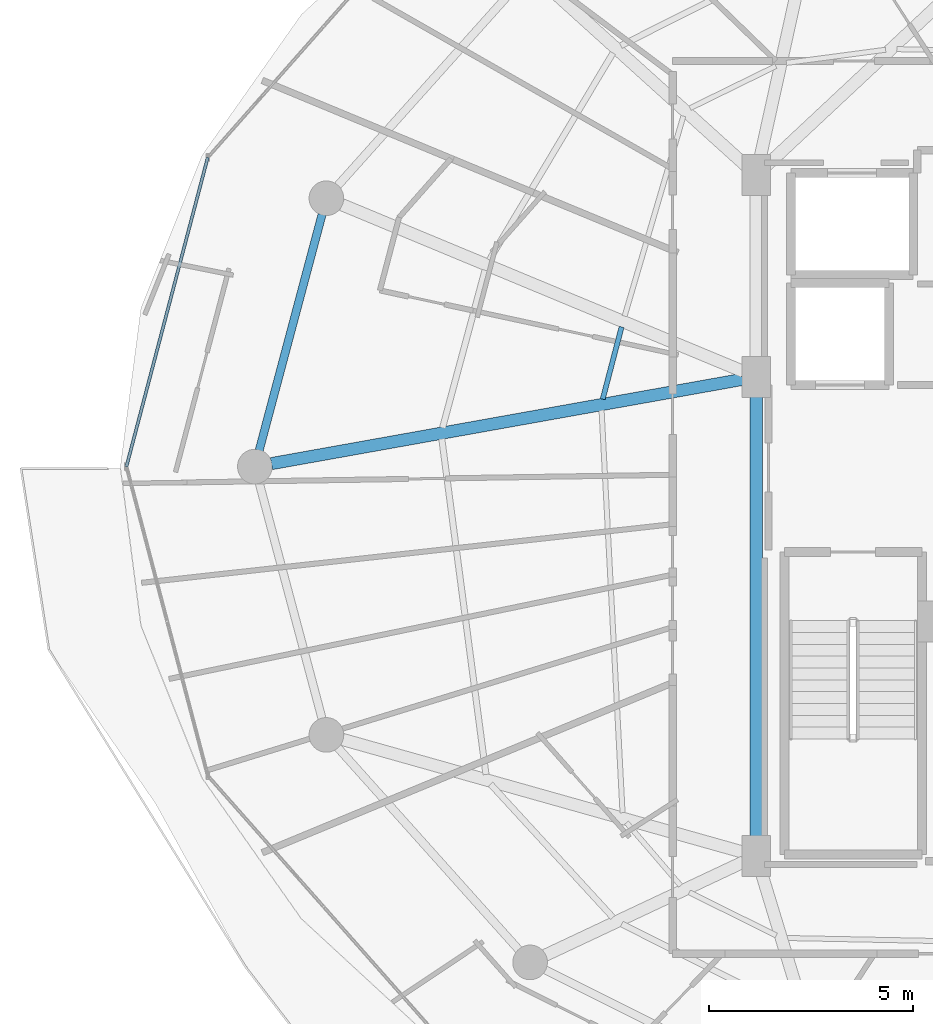
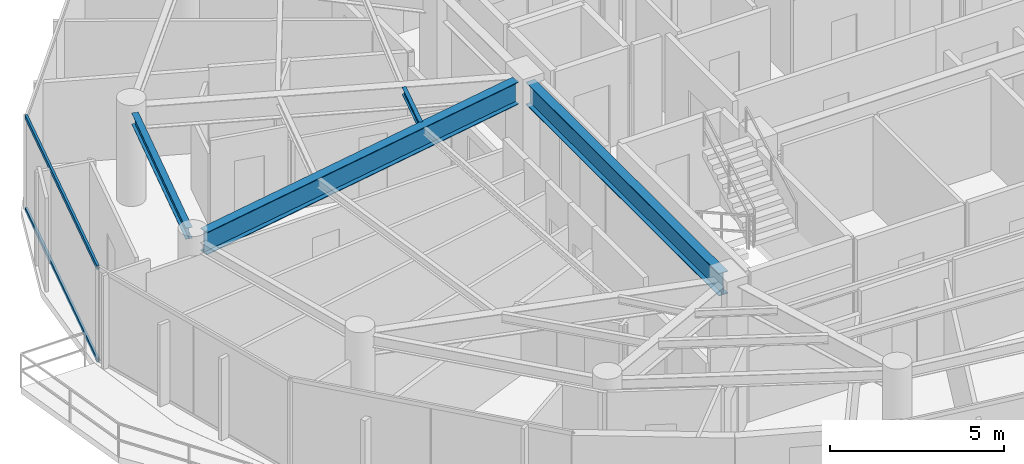
# One storey, part 8 of 31: 4 beams, 2 members, 1 element without a shape of its own.
"""IFC4 building model written with IfcOpenShell, lengths in metres."""

from ifc_helpers import new_model, si_unit, direction, frame, origin, origin_2d, place, context, subcontext, project, spatial, hollow_rectangle, i_section, extrude, material, material_profile, profile_set, type_object, element, aggregate, save


model = new_model("IFC4")

# Units and contexts
model_context = context("Model", 3, precision=1e-05, world=origin(), true_north=direction((0.0, 1.0)))
body_context = subcontext(model_context, "Body", "Model", "MODEL_VIEW")
ifc_project = project(units=[si_unit("LENGTHUNIT", "METRE"), si_unit("AREAUNIT", "SQUARE_METRE"), si_unit("VOLUMEUNIT", "CUBIC_METRE"), si_unit("PLANEANGLEUNIT", "RADIAN"), si_unit("MASSUNIT", "GRAM", prefix="KILO")], contexts=[model_context])

# Site, building, storey
site_placement = place(None, origin())
site = spatial("IfcSite", under=ifc_project, at=site_placement, CompositionType="ELEMENT")
building_placement = place(site_placement, origin())
building = spatial("IfcBuilding", under=site, at=building_placement, Name="Vorneva Point Tower", CompositionType="ELEMENT")
storey_placement = place(building_placement, frame((0.0, 0.0, 248.449951171875)))
storey = spatial("IfcBuildingStorey", under=building, at=storey_placement, Name="L67", CompositionType="ELEMENT", Elevation=248.449951171875)

# Beams
ifc_material_1 = material(Name="Steel S355", Category="steel")
ifc_material_profile_1 = material_profile(ifc_material_1, i_section(OverallWidth=0.300048828125, OverallDepth=0.7880859375, WebThickness=0.014404296875, FlangeThickness=0.02197265625, at=origin_2d()), Name="80Sh1")
ifc_profile_set_1 = profile_set([ifc_material_profile_1], Name="Steel S355")
beam_type_1 = type_object("IfcBeamType", Name="BM-GRD-80Sh1", PredefinedType="USERDEFINED", material=ifc_profile_set_1)
beam_1_placement = place(storey_placement, frame((15.3564453125, 26.07275390625, 2.89599609375), z_axis=(0.9843788355, 0.17606336422, 0.0), x_axis=(-0.17606336422, 0.9843788355, 0.0)))
element("IfcBeam", 1, at=beam_1_placement, inside=storey, type_object=beam_type_1, Name="L67 Radial Primary Girder 09", ObjectType="GIRDER", PredefinedType="USERDEFINED", context=body_context, shape_type="SweptSolid", body=[
    extrude(i_section(OverallWidth=0.300048828125, OverallDepth=0.7880859375, WebThickness=0.014404296875, FlangeThickness=0.02197265625, at=origin_2d()), origin(), (0.0, 0.0, 1.0), 11.7421875),
])
beam_2_placement = place(storey_placement, frame((27.25, 16.77001953125, 2.89599609375), z_axis=(0.0, 1.0, 0.0), x_axis=(-1.0, 0.0, 0.0)))
element("IfcBeam", 2, at=beam_2_placement, inside=storey, type_object=beam_type_1, Name="L67 Core Tie Girder CT1", ObjectType="GIRDER", PredefinedType="USERDEFINED", context=body_context, shape_type="SweptSolid", body=[
    extrude(i_section(OverallWidth=0.300048828125, OverallDepth=0.7880859375, WebThickness=0.014404296875, FlangeThickness=0.02197265625, at=origin_2d()), origin(), (0.0, 0.0, 1.0), 11.10986328125),
])
ifc_material_profile_2 = material_profile(ifc_material_1, i_section(OverallWidth=0.1240234375, OverallDepth=0.248046875, WebThickness=0.0048828125, FlangeThickness=0.008056640625, at=origin_2d()), Name="25B1")
ifc_profile_set_2 = profile_set([ifc_material_profile_2], Name="Steel S355")
beam_type_2 = type_object("IfcBeamType", Name="BM-JST-25B1", PredefinedType="JOIST", material=ifc_profile_set_2)
beam_3_placement = place(storey_placement, frame((23.946044921875, 29.425048828125, 3.166015625), z_axis=(-0.253029664065, -0.967458520611, 0.0), x_axis=(0.967458520611, -0.253029664065, 0.0)))
element("IfcBeam", 3, at=beam_3_placement, inside=storey, type_object=beam_type_2, Name="L67 Secondary Floor Beam 2.08", PredefinedType="JOIST", context=body_context, shape_type="SweptSolid", body=[
    extrude(i_section(OverallWidth=0.1240234375, OverallDepth=0.248046875, WebThickness=0.0048828125, FlangeThickness=0.008056640625, at=origin_2d()), origin(), (0.0, 0.0, 1.0), 1.831298828125),
])
ifc_material_profile_3 = material_profile(ifc_material_1, i_section(OverallWidth=0.198974609375, OverallDepth=0.39599609375, WebThickness=0.007080078125, FlangeThickness=0.010986328125, at=origin_2d()), Name="40B1")
ifc_profile_set_3 = profile_set([ifc_material_profile_3], Name="Steel S355")
beam_type_3 = type_object("IfcBeamType", Name="BM-SPN-40B1", PredefinedType="SPANDREL", material=ifc_profile_set_3)
beam_4_placement = place(storey_placement, frame((16.59912109375, 32.18603515625, 3.092041015625), z_axis=(-0.257586570866, -0.966255224312, 0.0), x_axis=(0.966255224312, -0.257586570866, 0.0)))
element("IfcBeam", 4, at=beam_4_placement, inside=storey, type_object=beam_type_3, Name="L67 Perimeter Spandrel Ring Beam 08", PredefinedType="SPANDREL", context=body_context, shape_type="SweptSolid", body=[
    extrude(i_section(OverallWidth=0.198974609375, OverallDepth=0.39599609375, WebThickness=0.007080078125, FlangeThickness=0.010986328125, at=origin_2d()), origin(), (0.0, 0.0, 1.0), 5.991943359375),
])

# Curtain wall, members
ifc_material_2 = material(Name="Pale anodised aluminium", Category="aluminium")
curtain_wall_type = type_object("IfcCurtainWallType", Name="CW-RES-SYS", PredefinedType="NOTDEFINED", material=ifc_material_2)
curtain_wall_placement = place(storey_placement, origin())
curtain_wall = element("IfcCurtainWall", 5, at=curtain_wall_placement, inside=storey, type_object=curtain_wall_type, Name="L67 Unitised Curtain Wall CW-L67-R03", PredefinedType="NOTDEFINED")
ifc_material_profile_4 = material_profile(ifc_material_2, hollow_rectangle(XDim=0.074951171875, YDim=0.14990234375, WallThickness=0.00390625, at=origin_2d()), Name="AL-TRN 150x75x4")
ifc_profile_set_4 = profile_set([ifc_material_profile_4], Name="Pale anodised aluminium")
member_type = type_object("IfcMemberType", Name="CW-TRN-150", PredefinedType="USERDEFINED", material=ifc_profile_set_4)
member_1_placement = place(storey_placement, frame((13.79443359375, 33.5810546875, 0.02001953125), z_axis=(-0.254418180926, -0.967094302131, 0.0), x_axis=(0.967094302131, -0.254418180926, 0.0)))
member_1 = element("IfcMember", 6, at=member_1_placement, type_object=member_type, Name="CW-L67-R03 Transom 02.1", ObjectType="TRANSOM", PredefinedType="USERDEFINED", context=body_context, shape_type="SweptSolid", body=[
    extrude(hollow_rectangle(XDim=0.074951171875, YDim=0.14990234375, WallThickness=0.00390625, at=origin_2d()), origin(), (0.0, 0.0, 1.0), 7.839111328125),
])
member_2_placement = place(storey_placement, frame((13.79443359375, 33.5810546875, 3.27001953125), z_axis=(-0.254418180926, -0.967094302131, 0.0), x_axis=(0.967094302131, -0.254418180926, 0.0)))
member_2 = element("IfcMember", 7, at=member_2_placement, type_object=member_type, Name="CW-L67-R03 Transom 02.2", ObjectType="TRANSOM", PredefinedType="USERDEFINED", context=body_context, shape_type="SweptSolid", body=[
    extrude(hollow_rectangle(XDim=0.074951171875, YDim=0.14990234375, WallThickness=0.00390625, at=origin_2d()), origin(), (0.0, 0.0, 1.0), 7.839111328125),
])
aggregate(curtain_wall, [member_1, member_2])

save(model, "model.ifc")
